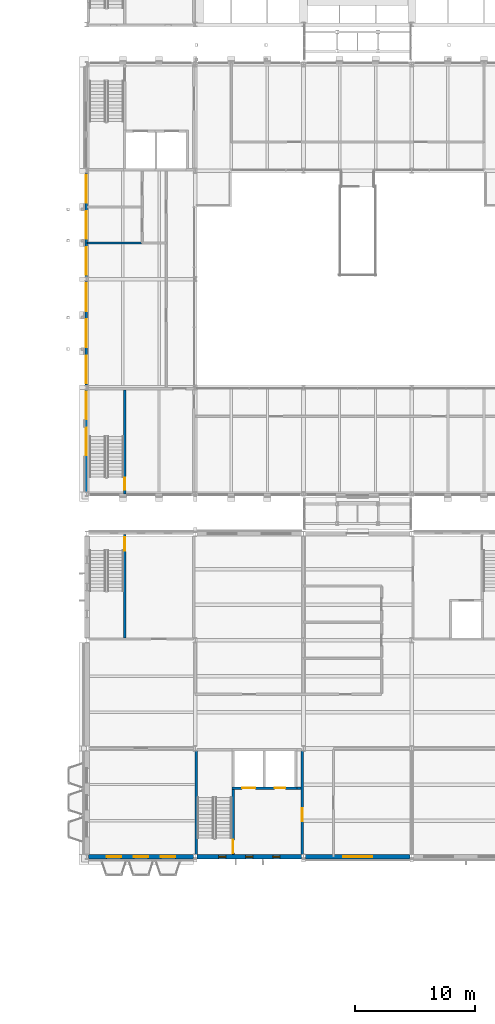
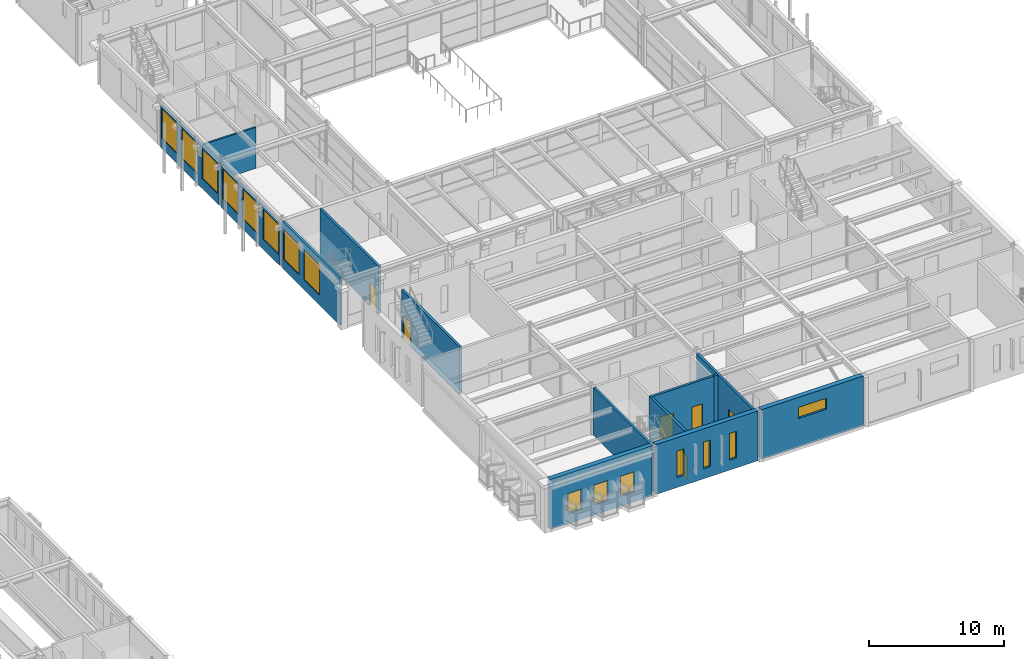
# One storey, part 94 of 153: 15 windows, 14 walls, 6 doors, 21 openings.
"""IFC4 building model written with IfcOpenShell, lengths in metres."""

import ifcopenshell
import ifcopenshell.guid

model = None  # the IFC model being written
_history = None  # IfcOwnerHistory: only IFC2X3 demands one
_inside = {}  # id of a spatial element -> (the spatial element, [elements in it])
_under = {}  # id of a project, library or spatial element -> (it, [spatial elements below it])
_declared = {}  # id of a project -> (the project, [libraries it declares])
_typed = {}  # id of a type object -> (the type object, [elements of that type])
_made_of = {}  # id of a material, layer set ... -> (it, [elements and type objects made of it])


def new_model(schema):
    """Start an empty IFC model of exactly this schema.

    Asked for "IFC4X3", IfcOpenShell would pick the latest addendum, in which some entities
    have other attributes; the version numbers below select the first issue.
    IFC2X3 requires an IfcOwnerHistory on every rooted entity: one is made here for all.
    """
    global model, _history
    if schema == "IFC4X3":
        model = ifcopenshell.file(schema_version=(4, 3, 0, 0))
    else:
        model = ifcopenshell.file(schema=schema)
    _inside.clear()
    _under.clear()
    _declared.clear()
    _typed.clear()
    _made_of.clear()
    _history = None
    if model.schema == "IFC2X3":
        org = make("IfcOrganization", Name="unknown")
        user = make(
            "IfcPersonAndOrganization",
            ThePerson=make("IfcPerson", FamilyName="unknown"),
            TheOrganization=org,
        )
        app = make(
            "IfcApplication",
            ApplicationDeveloper=org,
            Version="unknown",
            ApplicationFullName="unknown",
            ApplicationIdentifier="unknown",
        )
        _history = make(
            "IfcOwnerHistory",
            OwningUser=user,
            OwningApplication=app,
            ChangeAction="ADDED",
            CreationDate=0,
        )
    return model


def make(cls, **values):
    """One entity of the class cls with the attributes given. An attribute that is None is left unset."""
    return model.create_entity(
        cls, **{name: value for name, value in values.items() if value is not None}
    )


def rooted(cls, **values):
    """An entity with a GlobalId (a new one), such as an element, a storey or a relation."""
    return make(cls, GlobalId=ifcopenshell.guid.new(), OwnerHistory=_history, **values)


def si_unit(unit_type, name, prefix=None):
    """IfcSIUnit, for example si_unit("LENGTHUNIT", "METRE", prefix="MILLI")."""
    return make("IfcSIUnit", UnitType=unit_type, Prefix=prefix, Name=name)


def assignment(units):
    """IfcUnitAssignment: the units of a project."""
    return None if units is None else make("IfcUnitAssignment", Units=units)


def point(xyz):
    """IfcCartesianPoint."""
    return None if xyz is None else make("IfcCartesianPoint", Coordinates=xyz)


def direction(xyz):
    """IfcDirection."""
    return None if xyz is None else make("IfcDirection", DirectionRatios=xyz)


def frame(location, z_axis=None, x_axis=None):
    """IfcAxis2Placement3D, a coordinate frame: its origin and axes. An axis left out is left unset."""
    return make(
        "IfcAxis2Placement3D",
        Location=point(location),
        Axis=direction(z_axis),
        RefDirection=direction(x_axis),
    )


def frame_2d(location, x_axis=None):
    """IfcAxis2Placement2D, a coordinate frame in the plane: its origin and x axis."""
    return make(
        "IfcAxis2Placement2D", Location=point(location), RefDirection=direction(x_axis)
    )


def origin():
    """The frame at (0, 0, 0) with its axes left unset."""
    return frame((0.0, 0.0, 0.0))


def place(relative_to, where):
    """IfcLocalPlacement: puts the frame where relative to a parent placement (None: the world)."""
    return make(
        "IfcLocalPlacement", PlacementRelTo=relative_to, RelativePlacement=where
    )


def context(
    kind, dimensions, precision=None, world=None, true_north=None, identifier=None
):
    """IfcGeometricRepresentationContext, for example the 3D "Model" context."""
    return make(
        "IfcGeometricRepresentationContext",
        ContextIdentifier=identifier,
        ContextType=kind,
        CoordinateSpaceDimension=dimensions,
        Precision=precision,
        WorldCoordinateSystem=world,
        TrueNorth=true_north,
    )


def subcontext(parent, identifier, kind, view, scale=None):
    """IfcGeometricRepresentationSubContext, for example "Body" below "Model"."""
    return make(
        "IfcGeometricRepresentationSubContext",
        ContextIdentifier=identifier,
        ContextType=kind,
        ParentContext=parent,
        TargetScale=scale,
        TargetView=view,
    )


def project(units=None, contexts=None):
    """IfcProject with its units and contexts."""
    return rooted(
        "IfcProject",
        Name="project",
        RepresentationContexts=contexts,
        UnitsInContext=assignment(units),
    )


def spatial(cls, under=None, at=None, **own):
    """A site, building, storey or space (cls), placed at a placement, below another one or the project."""
    s = rooted(cls, ObjectPlacement=at, **own)
    if under is not None:
        _under.setdefault(under.id(), (under, []))[1].append(s)
    return s


def profile(cls, at=None, kind="AREA", **sizes):
    """A parametric profile (cls). Its sizes go by their IFC names, for example OverallWidth=200.0."""
    return make(cls, ProfileType=kind, Position=at, **sizes)


def rectangle(**sizes):
    """IfcRectangleProfileDef."""
    return profile("IfcRectangleProfileDef", **sizes)


def extrude(swept, where, along, depth):
    """IfcExtrudedAreaSolid: the profile swept, set in the frame where, extruded along a direction by depth."""
    return make(
        "IfcExtrudedAreaSolid",
        SweptArea=swept,
        Position=where,
        ExtrudedDirection=direction(along),
        Depth=depth,
    )


def shape(context_of_items, identifier, shape_type, items):
    """IfcShapeRepresentation: the items that make up one representation, for example the "Body"."""
    return make(
        "IfcShapeRepresentation",
        ContextOfItems=context_of_items,
        RepresentationIdentifier=identifier,
        RepresentationType=shape_type,
        Items=items,
    )


def material(Name=None, Category=None):
    """IfcMaterial."""
    return make("IfcMaterial", Name=Name, Category=Category)


def layer(
    of_material, thickness, ventilated=None, Name=None, Category=None, Priority=None
):
    """IfcMaterialLayer: one layer of a wall or slab, of a material (None: an air gap)."""
    return make(
        "IfcMaterialLayer",
        Material=of_material,
        LayerThickness=thickness,
        IsVentilated=ventilated,
        Name=Name,
        Category=Category,
        Priority=Priority,
    )


def layer_set(layers, Name=None):
    """IfcMaterialLayerSet."""
    return make("IfcMaterialLayerSet", MaterialLayers=layers, LayerSetName=Name)


def made_of(thing, what):
    """Note that an element or type object is made of a material, layer set ...; save() writes the relation."""
    if what is not None:
        _made_of.setdefault(what.id(), (what, []))[1].append(thing)
    return thing


def type_object(cls, material=None, **own):
    """A type object (cls), such as IfcWallType, which elements share."""
    return made_of(rooted(cls, **own), material)


def element(
    cls,
    number,
    at=None,
    inside=None,
    cuts=None,
    type_object=None,
    material=None,
    context=None,
    identifier="Body",
    shape_type=None,
    held_by="IfcProductDefinitionShape",
    body=None,
    shapes=None,
    **own,
):
    """One element of the class cls, such as IfcWall. Its Tag is "e" and its number.

    at: its placement. inside: the storey or other place that contains it. cuts: it is an
    opening in that element (IfcRelVoidsElement). A single representation is given by context,
    identifier, shape_type and body (its items); several are given by shapes. held_by: the class
    of the entity that holds the representations. save() writes the other relations.
    """
    e = rooted(cls, Tag="e%d" % number, ObjectPlacement=at, **own)
    if body is not None:
        shapes = [shape(context, identifier, shape_type, body)]
    if shapes is not None:
        e.Representation = make(held_by, Representations=shapes)
    if inside is not None:
        _inside.setdefault(inside.id(), (inside, []))[1].append(e)
    if cuts is not None:
        rooted(
            "IfcRelVoidsElement", RelatingBuildingElement=cuts, RelatedOpeningElement=e
        )
    if type_object is not None:
        _typed.setdefault(type_object.id(), (type_object, []))[1].append(e)
    return made_of(e, material)


def fill(opening, filler):
    """IfcRelFillsElement: the door or window that sits in an opening."""
    return rooted(
        "IfcRelFillsElement",
        RelatingOpeningElement=opening,
        RelatedBuildingElement=filler,
    )


def aggregate(whole, parts):
    """IfcRelAggregates: a whole, such as a stair, and the parts it consists of."""
    return rooted("IfcRelAggregates", RelatingObject=whole, RelatedObjects=parts)


def save(model, path):
    """Write the relations noted so far, then the file.

    IfcRelAggregates (storeys below a building ...), IfcRelContainedInSpatialStructure (elements
    in a storey), IfcRelDefinesByType, IfcRelAssociatesMaterial and IfcRelDeclares: one each for
    every whole, place, type object, material and project.
    """
    for whole, parts in _under.values():
        aggregate(whole, parts)
    for where, things in _inside.values():
        rooted(
            "IfcRelContainedInSpatialStructure",
            RelatedElements=things,
            RelatingStructure=where,
        )
    for kind, things in _typed.values():
        rooted("IfcRelDefinesByType", RelatedObjects=things, RelatingType=kind)
    for what, things in _made_of.values():
        rooted("IfcRelAssociatesMaterial", RelatedObjects=things, RelatingMaterial=what)
    for by, libraries in _declared.values():
        rooted("IfcRelDeclares", RelatingContext=by, RelatedDefinitions=libraries)
    model.write(path)


model = new_model("IFC4")

# Units and contexts
model_context = context("Model", 3, precision=1e-05, world=origin(), true_north=direction((0.0, 1.0)))
body_context = subcontext(model_context, "Body", "Model", "MODEL_VIEW")
ifc_project = project(units=[si_unit("LENGTHUNIT", "METRE"), si_unit("AREAUNIT", "SQUARE_METRE"), si_unit("VOLUMEUNIT", "CUBIC_METRE"), si_unit("PLANEANGLEUNIT", "RADIAN"), si_unit("MASSUNIT", "GRAM", prefix="KILO")], contexts=[model_context])

# Site, building, storey
site_placement = place(None, origin())
site = spatial("IfcSite", under=ifc_project, at=site_placement, CompositionType="ELEMENT")
building_placement = place(site_placement, origin())
building = spatial("IfcBuilding", under=site, at=building_placement, Name="Kallimachos Central Library", CompositionType="ELEMENT")
storey_placement = place(building_placement, frame((0.0, 0.0, 5.39990234375)))
storey = spatial("IfcBuildingStorey", under=building, at=storey_placement, Name="L01", CompositionType="ELEMENT", Elevation=5.39990234375)

# Wall
ifc_material_1 = material(Name="Concrete C30/37", Category="concrete")
ifc_layer_1 = layer(ifc_material_1, 0.199951171875)
ifc_layer_set_1 = layer_set([ifc_layer_1], Name="Core wall 200")
wall_type_1 = type_object("IfcWallType", Name="Core wall 200", PredefinedType="SOLIDWALL", material=ifc_layer_set_1)
wall_1_placement = place(storey_placement, frame((74.60009765625, 18.199951171875, 0.0), z_axis=(0.0, 0.0, 1.0), x_axis=(0.0, 1.0, 0.0)))
element("IfcWall", 1, at=wall_1_placement, inside=storey, type_object=wall_type_1, Name="V5-WAL-L01-028", PredefinedType="SOLIDWALL", context=body_context, shape_type="SweptSolid", body=[
    extrude(rectangle(XDim=8.583984375, YDim=0.199951171875, at=frame_2d((4.2919921875, 0.0))), origin(), (0.0, 0.0, 1.0), 4.25),
])

# Wall, opening, door
wall_2_placement = place(storey_placement, frame((83.39990234375, 18.199951171875, 0.0), z_axis=(0.0, 0.0, 1.0), x_axis=(0.0, 1.0, 0.0)))
wall_2 = element("IfcWall", 2, at=wall_2_placement, inside=storey, type_object=wall_type_1, Name="V5-WAL-L01-029", PredefinedType="SOLIDWALL", context=body_context, shape_type="SweptSolid", body=[
    extrude(rectangle(XDim=8.583984375, YDim=0.199951171875, at=frame_2d((4.2919921875, 0.0))), origin(), (0.0, 0.0, 1.0), 4.25),
])
opening_1_placement = place(wall_2_placement, frame((2.75, 0.0, 0.0)))
opening_1 = element("IfcOpeningElement", 3, at=opening_1_placement, cuts=wall_2, Name="Opening D95", PredefinedType="OPENING", context=body_context, shape_type="SweptSolid", body=[
    extrude(rectangle(XDim=1.10009765625, YDim=2.10009765625, at=frame_2d((0.550048828125, 1.050048828125))), frame((0.0, 0.10986328125, 0.0), z_axis=(0.0, -1.0, 0.0), x_axis=(1.0, 0.0, 0.0)), (0.0, 0.0, 1.0), 0.219970703125),
])
ifc_material_2 = material(Name="Steel fire door", Category="steel")
door_type_1 = type_object("IfcDoorType", Name="Fire door EI2 90 1100 x 2100", OperationType="NOTDEFINED", PredefinedType="DOOR", material=ifc_material_2)
door_1_placement = place(opening_1_placement, origin())
door_1 = element("IfcDoor", 4, at=door_1_placement, inside=storey, type_object=door_type_1, Name="ST13 lobby door L01", OperationType="SINGLE_SWING_RIGHT", OverallHeight=2.10009765625, OverallWidth=1.10009765625, PredefinedType="DOOR", context=body_context, shape_type="SweptSolid", body=[
    extrude(rectangle(XDim=1.10009765625, YDim=2.10009765625, at=frame_2d((0.550048828125, 1.050048828125))), frame((0.0, 0.02490234375, 0.0), z_axis=(0.0, -1.0, 0.0), x_axis=(1.0, 0.0, 0.0)), (0.0, 0.0, 1.0), 0.050048828125),
])
fill(opening_1, door_1)

wall_3_placement = place(storey_placement, frame((77.64990234375, 18.199951171875, 0.0), z_axis=(0.0, 0.0, 1.0), x_axis=(0.0, 1.0, 0.0)))
wall_3 = element("IfcWall", 5, at=wall_3_placement, inside=storey, type_object=wall_type_1, Name="V5-WAL-L01-030", PredefinedType="SOLIDWALL", context=body_context, shape_type="SweptSolid", body=[
    extrude(rectangle(XDim=5.60009765625, YDim=0.199951171875, at=frame_2d((2.800048828125, 0.0))), origin(), (0.0, 0.0, 1.0), 4.25),
])
opening_2_placement = place(wall_3_placement, frame((0.10009765625, 0.0, 0.0)))
opening_2 = element("IfcOpeningElement", 6, at=opening_2_placement, cuts=wall_3, Name="Opening D94", PredefinedType="OPENING", context=body_context, shape_type="SweptSolid", body=[
    extrude(rectangle(XDim=1.10009765625, YDim=2.10009765625, at=frame_2d((0.550048828125, 1.050048828125))), frame((0.0, 0.10986328125, 0.0), z_axis=(0.0, -1.0, 0.0), x_axis=(1.0, 0.0, 0.0)), (0.0, 0.0, 1.0), 0.219970703125),
])
door_2_placement = place(opening_2_placement, origin())
door_2 = element("IfcDoor", 7, at=door_2_placement, inside=storey, type_object=door_type_1, Name="ST13 stair door L01", OperationType="SINGLE_SWING_RIGHT", OverallHeight=2.10009765625, OverallWidth=1.10009765625, PredefinedType="DOOR", context=body_context, shape_type="SweptSolid", body=[
    extrude(rectangle(XDim=1.10009765625, YDim=2.10009765625, at=frame_2d((0.550048828125, 1.050048828125))), frame((0.0, 0.02490234375, 0.0), z_axis=(0.0, -1.0, 0.0), x_axis=(1.0, 0.0, 0.0)), (0.0, 0.0, 1.0), 0.050048828125),
])
fill(opening_2, door_2)

# Wall
wall_4_placement = place(storey_placement, frame((82.949951171875, 23.699951171875, 0.0), z_axis=(0.0, 0.0, 1.0), x_axis=(1.0, 0.0, 0.0)))
element("IfcWall", 8, at=wall_4_placement, inside=storey, type_object=wall_type_1, Name="V5-WAL-L01-031", PredefinedType="SOLIDWALL", context=body_context, shape_type="SweptSolid", body=[
    extrude(rectangle(XDim=0.35009765625, YDim=0.199951171875, at=frame_2d((0.175048828125, 0.0))), origin(), (0.0, 0.0, 1.0), 4.25),
])

# Wall, opening, door
wall_5_placement = place(storey_placement, frame((68.64990234375, 36.199951171875, 0.0), z_axis=(0.0, 0.0, 1.0), x_axis=(0.0, 1.0, 0.0)))
wall_5 = element("IfcWall", 9, at=wall_5_placement, inside=storey, type_object=wall_type_1, Name="V5-WAL-L01-039", PredefinedType="SOLIDWALL", context=body_context, shape_type="SweptSolid", body=[
    extrude(rectangle(XDim=8.60009765625, YDim=0.199951171875, at=frame_2d((4.300048828125, 0.0))), origin(), (0.0, 0.0, 1.0), 4.25),
])
opening_3_placement = place(wall_5_placement, frame((7.25, 0.0, 0.0)))
opening_3 = element("IfcOpeningElement", 10, at=opening_3_placement, cuts=wall_5, Name="Opening D98", PredefinedType="OPENING", context=body_context, shape_type="SweptSolid", body=[
    extrude(rectangle(XDim=1.10009765625, YDim=2.10009765625, at=frame_2d((0.550048828125, 1.050048828125))), frame((0.0, 0.10986328125, 0.0), z_axis=(0.0, -1.0, 0.0), x_axis=(1.0, 0.0, 0.0)), (0.0, 0.0, 1.0), 0.219970703125),
])
door_3_placement = place(opening_3_placement, origin())
door_3 = element("IfcDoor", 11, at=door_3_placement, inside=storey, type_object=door_type_1, Name="ST15 stair door L01", OperationType="SINGLE_SWING_LEFT", OverallHeight=2.10009765625, OverallWidth=1.10009765625, PredefinedType="DOOR", context=body_context, shape_type="SweptSolid", body=[
    extrude(rectangle(XDim=1.10009765625, YDim=2.10009765625, at=frame_2d((0.550048828125, 1.050048828125))), frame((0.0, 0.02490234375, 0.0), z_axis=(0.0, -1.0, 0.0), x_axis=(1.0, 0.0, 0.0)), (0.0, 0.0, 1.0), 0.050048828125),
])
fill(opening_3, door_3)

# Wall, openings, doors
ifc_material_3 = material(Name="Concrete C30/37", Category="concrete")
ifc_layer_2 = layer(ifc_material_3, 0.199951171875)
ifc_layer_set_2 = layer_set([ifc_layer_2], Name="Lift shaft wall 200")
wall_type_2 = type_object("IfcWallType", Name="Lift shaft wall 200", PredefinedType="SOLIDWALL", material=ifc_layer_set_2)
wall_6_placement = place(storey_placement, frame((77.550048828125, 23.699951171875, 0.0), z_axis=(0.0, 0.0, 1.0), x_axis=(1.0, 0.0, 0.0)))
wall_6 = element("IfcWall", 12, at=wall_6_placement, inside=storey, type_object=wall_type_2, Name="V5-WAL-L01-001", PredefinedType="SOLIDWALL", context=body_context, shape_type="SweptSolid", body=[
    extrude(rectangle(XDim=5.39990234375, YDim=0.199951171875, at=frame_2d((2.699951171875, 0.0))), origin(), (0.0, 0.0, 1.0), 4.25),
])
opening_4_placement = place(wall_6_placement, frame((0.85009765625, 0.0, 0.0)))
opening_4 = element("IfcOpeningElement", 13, at=opening_4_placement, cuts=wall_6, Name="Opening LD1100", PredefinedType="OPENING", context=body_context, shape_type="SweptSolid", body=[
    extrude(rectangle(XDim=1.10009765625, YDim=2.10009765625, at=frame_2d((0.550048828125, 1.050048828125))), frame((0.0, 0.10986328125, 0.0), z_axis=(0.0, -1.0, 0.0), x_axis=(1.0, 0.0, 0.0)), (0.0, 0.0, 1.0), 0.219970703125),
])
opening_5_placement = place(wall_6_placement, frame((3.550048828125, 0.0, 0.0)))
opening_5 = element("IfcOpeningElement", 14, at=opening_5_placement, cuts=wall_6, Name="Opening LD900", PredefinedType="OPENING", context=body_context, shape_type="SweptSolid", body=[
    extrude(rectangle(XDim=0.89990234375, YDim=2.10009765625, at=frame_2d((0.449951171875, 1.050048828125))), frame((0.0, 0.10986328125, 0.0), z_axis=(0.0, -1.0, 0.0), x_axis=(1.0, 0.0, 0.0)), (0.0, 0.0, 1.0), 0.219970703125),
])
ifc_material_4 = material(Name="Stainless steel", Category="steel")
door_type_2 = type_object("IfcDoorType", Name="Lift landing door 1100 x 2100", OperationType="SLIDING_TO_LEFT", PredefinedType="DOOR", material=ifc_material_4)
door_4_placement = place(opening_4_placement, origin())
door_4 = element("IfcDoor", 15, at=door_4_placement, inside=storey, type_object=door_type_2, Name="LF11 landing door L01", OperationType="SLIDING_TO_LEFT", OverallHeight=2.10009765625, OverallWidth=1.10009765625, PredefinedType="DOOR", context=body_context, shape_type="SweptSolid", body=[
    extrude(rectangle(XDim=1.10009765625, YDim=2.10009765625, at=frame_2d((0.550048828125, 1.050048828125))), frame((0.0, 0.02490234375, 0.0), z_axis=(0.0, -1.0, 0.0), x_axis=(1.0, 0.0, 0.0)), (0.0, 0.0, 1.0), 0.050048828125),
])
fill(opening_4, door_4)
ifc_material_5 = material(Name="Stainless steel", Category="steel")
door_type_3 = type_object("IfcDoorType", Name="Lift landing door 900 x 2100", OperationType="SLIDING_TO_LEFT", PredefinedType="DOOR", material=ifc_material_5)
door_5_placement = place(opening_5_placement, origin())
door_5 = element("IfcDoor", 16, at=door_5_placement, inside=storey, type_object=door_type_3, Name="LF12 landing door L01", OperationType="SLIDING_TO_LEFT", OverallHeight=2.10009765625, OverallWidth=0.89990234375, PredefinedType="DOOR", context=body_context, shape_type="SweptSolid", body=[
    extrude(rectangle(XDim=0.89990234375, YDim=2.10009765625, at=frame_2d((0.449951171875, 1.050048828125))), frame((0.0, 0.02490234375, 0.0), z_axis=(0.0, -1.0, 0.0), x_axis=(1.0, 0.0, 0.0)), (0.0, 0.0, 1.0), 0.050048828125),
])
fill(opening_5, door_5)

# Wall
ifc_material_6 = material(Name="Gypsum board on steel studs", Category="steel")
ifc_layer_3 = layer(ifc_material_6, 0.14990234375)
ifc_layer_set_3 = layer_set([ifc_layer_3], Name="Partition wall 150")
wall_type_3 = type_object("IfcWallType", Name="Partition wall 150", PredefinedType="PARTITIONING", material=ifc_layer_set_3)
wall_7_placement = place(storey_placement, frame((65.550048828125, 69.0, 0.0), z_axis=(0.0, 0.0, 1.0), x_axis=(1.0, 0.0, 0.0)))
element("IfcWall", 17, at=wall_7_placement, inside=storey, type_object=wall_type_3, Name="L01 partition", PredefinedType="PARTITIONING", context=body_context, shape_type="SweptSolid", body=[
    extrude(rectangle(XDim=4.550048828125, YDim=0.14990234375, at=frame_2d((2.27490234375, 0.0))), origin(), (0.0, 0.0, 1.0), 3.7001953125),
])

# Wall, opening, door
ifc_material_7 = material(Name="Concrete C35/45", Category="concrete")
ifc_layer_4 = layer(ifc_material_7, 0.199951171875)
ifc_layer_set_4 = layer_set([ifc_layer_4], Name="Shear core wall 200, internal")
wall_type_4 = type_object("IfcWallType", Name="Shear core wall 200, internal", PredefinedType="SHEAR", material=ifc_layer_set_4)
wall_8_placement = place(storey_placement, frame((68.64990234375, 48.14990234375, 0.0), z_axis=(0.0, 0.0, 1.0), x_axis=(0.0, 1.0, 0.0)))
wall_8 = element("IfcWall", 18, at=wall_8_placement, inside=storey, type_object=wall_type_4, Name="L01 core wall V4-SW M", PredefinedType="SHEAR", context=body_context, shape_type="SweptSolid", body=[
    extrude(rectangle(XDim=8.650146484375, YDim=0.199951171875, at=frame_2d((4.3251953125, 0.0))), origin(), (0.0, 0.0, 1.0), 4.25),
])
opening_6_placement = place(wall_8_placement, frame((0.35009765625, 0.0, 0.0)))
opening_6 = element("IfcOpeningElement", 19, at=opening_6_placement, cuts=wall_8, Name="Opening D174", PredefinedType="OPENING", context=body_context, shape_type="SweptSolid", body=[
    extrude(rectangle(XDim=1.0, YDim=2.10009765625, at=frame_2d((0.5, 1.050048828125))), frame((0.0, 0.10986328125, 0.0), z_axis=(0.0, -1.0, 0.0), x_axis=(1.0, 0.0, 0.0)), (0.0, 0.0, 1.0), 0.219970703125),
])
ifc_material_8 = material(Name="Timber", Category="wood")
door_type_4 = type_object("IfcDoorType", Name="Single leaf door 1000 x 2100, EI2 90", OperationType="NOTDEFINED", PredefinedType="DOOR", material=ifc_material_8)
door_6_placement = place(opening_6_placement, origin())
door_6 = element("IfcDoor", 20, at=door_6_placement, inside=storey, type_object=door_type_4, Name="L01 core door V4-SW", OperationType="SINGLE_SWING_RIGHT", OverallHeight=2.10009765625, OverallWidth=1.0, PredefinedType="DOOR", context=body_context, shape_type="SweptSolid", body=[
    extrude(rectangle(XDim=1.0, YDim=2.10009765625, at=frame_2d((0.5, 1.050048828125))), frame((0.0, 0.02490234375, 0.0), z_axis=(0.0, -1.0, 0.0), x_axis=(1.0, 0.0, 0.0)), (0.0, 0.0, 1.0), 0.050048828125),
])
fill(opening_6, door_6)

# Wall, openings, windows
ifc_material_9 = material(Name="Pentelic marble masonry", Category="masonry")
ifc_layer_5 = layer(ifc_material_9, 0.39990234375)
ifc_layer_set_5 = layer_set([ifc_layer_5], Name="Stone masonry wall 400")
wall_type_5 = type_object("IfcWallType", Name="Stone masonry wall 400", PredefinedType="SOLIDWALL", material=ifc_layer_set_5)
wall_9_placement = place(storey_placement, frame((65.64990234375, 18.0, 0.0), z_axis=(0.0, 0.0, 1.0), x_axis=(1.0, 0.0, 0.0)))
wall_9 = element("IfcWall", 21, at=wall_9_placement, inside=storey, type_object=wall_type_5, Name="V5-WAL-L01-010", PredefinedType="SOLIDWALL", context=body_context, shape_type="SweptSolid", body=[
    extrude(rectangle(XDim=8.7001953125, YDim=0.39990234375, at=frame_2d((4.35009765625, 0.0))), origin(), (0.0, 0.0, 1.0), 4.5),
])
opening_7_placement = place(wall_9_placement, frame((1.5, 0.0, 0.89990234375)))
opening_7 = element("IfcOpeningElement", 22, at=opening_7_placement, cuts=wall_9, Name="Opening WN32", PredefinedType="OPENING", context=body_context, shape_type="SweptSolid", body=[
    extrude(rectangle(XDim=1.199951171875, YDim=1.800048828125, at=frame_2d((0.60009765625, 0.89990234375))), frame((0.0, 0.2099609375, 0.0), z_axis=(0.0, -1.0, 0.0), x_axis=(1.0, 0.0, 0.0)), (0.0, 0.0, 1.0), 0.419921875),
])
opening_8_placement = place(wall_9_placement, frame((3.75, 0.0, 0.89990234375)))
opening_8 = element("IfcOpeningElement", 23, at=opening_8_placement, cuts=wall_9, Name="Opening WN33", PredefinedType="OPENING", context=body_context, shape_type="SweptSolid", body=[
    extrude(rectangle(XDim=1.199951171875, YDim=1.800048828125, at=frame_2d((0.60009765625, 0.89990234375))), frame((0.0, 0.2099609375, 0.0), z_axis=(0.0, -1.0, 0.0), x_axis=(1.0, 0.0, 0.0)), (0.0, 0.0, 1.0), 0.419921875),
])
opening_9_placement = place(wall_9_placement, frame((6.0, 0.0, 0.89990234375)))
opening_9 = element("IfcOpeningElement", 24, at=opening_9_placement, cuts=wall_9, Name="Opening WN34", PredefinedType="OPENING", context=body_context, shape_type="SweptSolid", body=[
    extrude(rectangle(XDim=1.199951171875, YDim=1.800048828125, at=frame_2d((0.60009765625, 0.89990234375))), frame((0.0, 0.2099609375, 0.0), z_axis=(0.0, -1.0, 0.0), x_axis=(1.0, 0.0, 0.0)), (0.0, 0.0, 1.0), 0.419921875),
])
ifc_material_10 = material(Name="Anodised aluminium and laminated glass", Category="aluminium")
window_type_1 = type_object("IfcWindowType", Name="Staff window 1200 x 1800", PartitioningType="SINGLE_PANEL", PredefinedType="WINDOW", material=ifc_material_10)
window_1_placement = place(opening_7_placement, origin())
window_1 = element("IfcWindow", 25, at=window_1_placement, inside=storey, type_object=window_type_1, Name="V5-WIN-L01-001", OverallHeight=1.800048828125, OverallWidth=1.199951171875, PartitioningType="SINGLE_PANEL", PredefinedType="WINDOW", context=body_context, shape_type="SweptSolid", body=[
    extrude(rectangle(XDim=1.199951171875, YDim=1.800048828125, at=frame_2d((0.60009765625, 0.89990234375))), frame((0.0, 0.030029296875, 0.0), z_axis=(0.0, -1.0, 0.0), x_axis=(1.0, 0.0, 0.0)), (0.0, 0.0, 1.0), 0.06005859375),
])
fill(opening_7, window_1)
window_2_placement = place(opening_8_placement, origin())
window_2 = element("IfcWindow", 26, at=window_2_placement, inside=storey, type_object=window_type_1, Name="V5-WIN-L01-002", OverallHeight=1.800048828125, OverallWidth=1.199951171875, PartitioningType="SINGLE_PANEL", PredefinedType="WINDOW", context=body_context, shape_type="SweptSolid", body=[
    extrude(rectangle(XDim=1.199951171875, YDim=1.800048828125, at=frame_2d((0.60009765625, 0.89990234375))), frame((0.0, 0.030029296875, 0.0), z_axis=(0.0, -1.0, 0.0), x_axis=(1.0, 0.0, 0.0)), (0.0, 0.0, 1.0), 0.06005859375),
])
fill(opening_8, window_2)
window_3_placement = place(opening_9_placement, origin())
window_3 = element("IfcWindow", 27, at=window_3_placement, inside=storey, type_object=window_type_1, Name="V5-WIN-L01-003", OverallHeight=1.800048828125, OverallWidth=1.199951171875, PartitioningType="SINGLE_PANEL", PredefinedType="WINDOW", context=body_context, shape_type="SweptSolid", body=[
    extrude(rectangle(XDim=1.199951171875, YDim=1.800048828125, at=frame_2d((0.60009765625, 0.89990234375))), frame((0.0, 0.030029296875, 0.0), z_axis=(0.0, -1.0, 0.0), x_axis=(1.0, 0.0, 0.0)), (0.0, 0.0, 1.0), 0.06005859375),
])
fill(opening_9, window_3)

# Wall, opening, window
wall_10_placement = place(storey_placement, frame((83.64990234375, 18.0, 0.0), z_axis=(0.0, 0.0, 1.0), x_axis=(1.0, 0.0, 0.0)))
wall_10 = element("IfcWall", 28, at=wall_10_placement, inside=storey, type_object=wall_type_5, Name="V5-WAL-L01-012", PredefinedType="SOLIDWALL", context=body_context, shape_type="SweptSolid", body=[
    extrude(rectangle(XDim=8.7001953125, YDim=0.39990234375, at=frame_2d((4.35009765625, 0.0))), origin(), (0.0, 0.0, 1.0), 4.5),
])
opening_10_placement = place(wall_10_placement, frame((3.14990234375, 0.0, 2.60009765625)))
opening_10 = element("IfcOpeningElement", 29, at=opening_10_placement, cuts=wall_10, Name="Opening WN38", PredefinedType="OPENING", context=body_context, shape_type="SweptSolid", body=[
    extrude(rectangle(XDim=2.39990234375, YDim=1.0, at=frame_2d((1.199951171875, 0.5))), frame((0.0, 0.2099609375, 0.0), z_axis=(0.0, -1.0, 0.0), x_axis=(1.0, 0.0, 0.0)), (0.0, 0.0, 1.0), 0.419921875),
])
ifc_material_11 = material(Name="Anodised aluminium and laminated glass", Category="aluminium")
window_type_2 = type_object("IfcWindowType", Name="Clerestory window 2400 x 1000", PartitioningType="SINGLE_PANEL", PredefinedType="WINDOW", material=ifc_material_11)
window_4_placement = place(opening_10_placement, origin())
window_4 = element("IfcWindow", 30, at=window_4_placement, inside=storey, type_object=window_type_2, Name="V5-WIN-L01-007", OverallHeight=1.0, OverallWidth=2.39990234375, PartitioningType="SINGLE_PANEL", PredefinedType="WINDOW", context=body_context, shape_type="SweptSolid", body=[
    extrude(rectangle(XDim=2.39990234375, YDim=1.0, at=frame_2d((1.199951171875, 0.5))), frame((0.0, 0.030029296875, 0.0), z_axis=(0.0, -1.0, 0.0), x_axis=(1.0, 0.0, 0.0)), (0.0, 0.0, 1.0), 0.06005859375),
])
fill(opening_10, window_4)

# Wall, openings, windows
ifc_material_12 = material(Name="Concrete C30/37", Category="concrete")
ifc_layer_6 = layer(ifc_material_12, 0.39990234375)
ifc_layer_set_6 = layer_set([ifc_layer_6], Name="Stone-clad core wall 400")
wall_type_6 = type_object("IfcWallType", Name="Stone-clad core wall 400", PredefinedType="SOLIDWALL", material=ifc_layer_set_6)
wall_11_placement = place(storey_placement, frame((74.64990234375, 18.0, 0.0), z_axis=(0.0, 0.0, 1.0), x_axis=(1.0, 0.0, 0.0)))
wall_11 = element("IfcWall", 31, at=wall_11_placement, inside=storey, type_object=wall_type_6, Name="V5-WAL-L01-011", PredefinedType="SOLIDWALL", context=body_context, shape_type="SweptSolid", body=[
    extrude(rectangle(XDim=8.7001953125, YDim=0.39990234375, at=frame_2d((4.35009765625, 0.0))), origin(), (0.0, 0.0, 1.0), 4.5),
])
opening_11_placement = place(wall_11_placement, frame((1.800048828125, 0.0, 0.89990234375)))
opening_11 = element("IfcOpeningElement", 32, at=opening_11_placement, cuts=wall_11, Name="Opening WN35", PredefinedType="OPENING", context=body_context, shape_type="SweptSolid", body=[
    extrude(rectangle(XDim=0.60009765625, YDim=2.39990234375, at=frame_2d((0.300048828125, 1.199951171875))), frame((0.0, 0.2099609375, 0.0), z_axis=(0.0, -1.0, 0.0), x_axis=(1.0, 0.0, 0.0)), (0.0, 0.0, 1.0), 0.419921875),
])
opening_12_placement = place(wall_11_placement, frame((4.050048828125, 0.0, 0.89990234375)))
opening_12 = element("IfcOpeningElement", 33, at=opening_12_placement, cuts=wall_11, Name="Opening WN36", PredefinedType="OPENING", context=body_context, shape_type="SweptSolid", body=[
    extrude(rectangle(XDim=0.60009765625, YDim=2.39990234375, at=frame_2d((0.300048828125, 1.199951171875))), frame((0.0, 0.2099609375, 0.0), z_axis=(0.0, -1.0, 0.0), x_axis=(1.0, 0.0, 0.0)), (0.0, 0.0, 1.0), 0.419921875),
])
opening_13_placement = place(wall_11_placement, frame((6.300048828125, 0.0, 0.89990234375)))
opening_13 = element("IfcOpeningElement", 34, at=opening_13_placement, cuts=wall_11, Name="Opening WN37", PredefinedType="OPENING", context=body_context, shape_type="SweptSolid", body=[
    extrude(rectangle(XDim=0.60009765625, YDim=2.39990234375, at=frame_2d((0.300048828125, 1.199951171875))), frame((0.0, 0.2099609375, 0.0), z_axis=(0.0, -1.0, 0.0), x_axis=(1.0, 0.0, 0.0)), (0.0, 0.0, 1.0), 0.419921875),
])
ifc_material_13 = material(Name="Anodised aluminium and laminated glass", Category="aluminium")
window_type_3 = type_object("IfcWindowType", Name="Slot window 600 x 2400", PartitioningType="SINGLE_PANEL", PredefinedType="WINDOW", material=ifc_material_13)
window_5_placement = place(opening_11_placement, origin())
window_5 = element("IfcWindow", 35, at=window_5_placement, inside=storey, type_object=window_type_3, Name="V5-WIN-L01-004", OverallHeight=2.39990234375, OverallWidth=0.60009765625, PartitioningType="SINGLE_PANEL", PredefinedType="WINDOW", context=body_context, shape_type="SweptSolid", body=[
    extrude(rectangle(XDim=0.60009765625, YDim=2.39990234375, at=frame_2d((0.300048828125, 1.199951171875))), frame((0.0, 0.030029296875, 0.0), z_axis=(0.0, -1.0, 0.0), x_axis=(1.0, 0.0, 0.0)), (0.0, 0.0, 1.0), 0.06005859375),
])
fill(opening_11, window_5)
window_6_placement = place(opening_12_placement, origin())
window_6 = element("IfcWindow", 36, at=window_6_placement, inside=storey, type_object=window_type_3, Name="V5-WIN-L01-005", OverallHeight=2.39990234375, OverallWidth=0.60009765625, PartitioningType="SINGLE_PANEL", PredefinedType="WINDOW", context=body_context, shape_type="SweptSolid", body=[
    extrude(rectangle(XDim=0.60009765625, YDim=2.39990234375, at=frame_2d((0.300048828125, 1.199951171875))), frame((0.0, 0.030029296875, 0.0), z_axis=(0.0, -1.0, 0.0), x_axis=(1.0, 0.0, 0.0)), (0.0, 0.0, 1.0), 0.06005859375),
])
fill(opening_12, window_6)
window_7_placement = place(opening_13_placement, origin())
window_7 = element("IfcWindow", 37, at=window_7_placement, inside=storey, type_object=window_type_3, Name="V5-WIN-L01-006", OverallHeight=2.39990234375, OverallWidth=0.60009765625, PartitioningType="SINGLE_PANEL", PredefinedType="WINDOW", context=body_context, shape_type="SweptSolid", body=[
    extrude(rectangle(XDim=0.60009765625, YDim=2.39990234375, at=frame_2d((0.300048828125, 1.199951171875))), frame((0.0, 0.030029296875, 0.0), z_axis=(0.0, -1.0, 0.0), x_axis=(1.0, 0.0, 0.0)), (0.0, 0.0, 1.0), 0.06005859375),
])
fill(opening_13, window_7)

ifc_material_14 = material(Name="Brick masonry with Pentelic marble cladding", Category="masonry")
ifc_layer_7 = layer(ifc_material_14, 0.199951171875)
ifc_layer_set_7 = layer_set([ifc_layer_7], Name="Stone-clad masonry wall 200")
wall_type_7 = type_object("IfcWallType", Name="Stone-clad masonry wall 200", PredefinedType="SOLIDWALL", material=ifc_layer_set_7)
wall_12_placement = place(storey_placement, frame((65.445556640625, 57.1884765625, 0.0), z_axis=(0.0, 0.0, 1.0), x_axis=(0.0, 1.0, 0.0)))
wall_12 = element("IfcWall", 38, at=wall_12_placement, inside=storey, type_object=wall_type_7, Name="V4-WAL-L01-026", PredefinedType="SOLIDWALL", context=body_context, shape_type="SweptSolid", body=[
    extrude(rectangle(XDim=8.623046875, YDim=0.199951171875, at=frame_2d((4.3115234375, 0.0))), origin(), (0.0, 0.0, 1.0), 3.75),
])
opening_14_placement = place(wall_12_placement, frame((0.16162109375, 0.0, 0.89990234375)))
opening_14 = element("IfcOpeningElement", 39, at=opening_14_placement, cuts=wall_12, Name="Opening WN161", PredefinedType="OPENING", context=body_context, shape_type="SweptSolid", body=[
    extrude(rectangle(XDim=2.300048828125, YDim=2.699951171875, at=frame_2d((1.14990234375, 1.35009765625))), frame((0.0, 0.10986328125, 0.0), z_axis=(0.0, -1.0, 0.0), x_axis=(1.0, 0.0, 0.0)), (0.0, 0.0, 1.0), 0.219970703125),
])
opening_15_placement = place(wall_12_placement, frame((3.16162109375, 0.0, 0.89990234375)))
opening_15 = element("IfcOpeningElement", 40, at=opening_15_placement, cuts=wall_12, Name="Opening WN161", PredefinedType="OPENING", context=body_context, shape_type="SweptSolid", body=[
    extrude(rectangle(XDim=2.300048828125, YDim=2.699951171875, at=frame_2d((1.14990234375, 1.35009765625))), frame((0.0, 0.10986328125, 0.0), z_axis=(0.0, -1.0, 0.0), x_axis=(1.0, 0.0, 0.0)), (0.0, 0.0, 1.0), 0.219970703125),
])
opening_16_placement = place(wall_12_placement, frame((6.16162109375, 0.0, 0.89990234375)))
opening_16 = element("IfcOpeningElement", 41, at=opening_16_placement, cuts=wall_12, Name="Opening WN161", PredefinedType="OPENING", context=body_context, shape_type="SweptSolid", body=[
    extrude(rectangle(XDim=2.300048828125, YDim=2.699951171875, at=frame_2d((1.14990234375, 1.35009765625))), frame((0.0, 0.10986328125, 0.0), z_axis=(0.0, -1.0, 0.0), x_axis=(1.0, 0.0, 0.0)), (0.0, 0.0, 1.0), 0.219970703125),
])
ifc_material_15 = material(Name="Anodised aluminium and laminated glass", Category="aluminium")
window_type_4 = type_object("IfcWindowType", Name="Window 2300 x 2700", PartitioningType="DOUBLE_PANEL_VERTICAL", PredefinedType="WINDOW", material=ifc_material_15)
window_8_placement = place(opening_14_placement, origin())
window_8 = element("IfcWindow", 42, at=window_8_placement, inside=storey, type_object=window_type_4, Name="V4-WIN-L01-032", OverallHeight=2.699951171875, OverallWidth=2.300048828125, PartitioningType="SINGLE_PANEL", PredefinedType="WINDOW", context=body_context, shape_type="SweptSolid", body=[
    extrude(rectangle(XDim=2.300048828125, YDim=2.699951171875, at=frame_2d((1.14990234375, 1.35009765625))), frame((0.0, 0.030029296875, 0.0), z_axis=(0.0, -1.0, 0.0), x_axis=(1.0, 0.0, 0.0)), (0.0, 0.0, 1.0), 0.06005859375),
])
fill(opening_14, window_8)
window_9_placement = place(opening_15_placement, origin())
window_9 = element("IfcWindow", 43, at=window_9_placement, inside=storey, type_object=window_type_4, Name="V4-WIN-L01-033", OverallHeight=2.699951171875, OverallWidth=2.300048828125, PartitioningType="SINGLE_PANEL", PredefinedType="WINDOW", context=body_context, shape_type="SweptSolid", body=[
    extrude(rectangle(XDim=2.300048828125, YDim=2.699951171875, at=frame_2d((1.14990234375, 1.35009765625))), frame((0.0, 0.030029296875, 0.0), z_axis=(0.0, -1.0, 0.0), x_axis=(1.0, 0.0, 0.0)), (0.0, 0.0, 1.0), 0.06005859375),
])
fill(opening_15, window_9)
window_10_placement = place(opening_16_placement, origin())
window_10 = element("IfcWindow", 44, at=window_10_placement, inside=storey, type_object=window_type_4, Name="V4-WIN-L01-034", OverallHeight=2.699951171875, OverallWidth=2.300048828125, PartitioningType="SINGLE_PANEL", PredefinedType="WINDOW", context=body_context, shape_type="SweptSolid", body=[
    extrude(rectangle(XDim=2.300048828125, YDim=2.699951171875, at=frame_2d((1.14990234375, 1.35009765625))), frame((0.0, 0.030029296875, 0.0), z_axis=(0.0, -1.0, 0.0), x_axis=(1.0, 0.0, 0.0)), (0.0, 0.0, 1.0), 0.06005859375),
])
fill(opening_16, window_10)

wall_13_placement = place(storey_placement, frame((65.445556640625, 66.1884765625, 0.0), z_axis=(0.0, 0.0, 1.0), x_axis=(0.0, 1.0, 0.0)))
wall_13 = element("IfcWall", 45, at=wall_13_placement, inside=storey, type_object=wall_type_7, Name="V4-WAL-L01-027", PredefinedType="SOLIDWALL", context=body_context, shape_type="SweptSolid", body=[
    extrude(rectangle(XDim=8.595458984375, YDim=0.199951171875, at=frame_2d((4.2978515625, 0.0))), origin(), (0.0, 0.0, 1.0), 3.75),
])
opening_17_placement = place(wall_13_placement, frame((0.16162109375, 0.0, 0.89990234375)))
opening_17 = element("IfcOpeningElement", 46, at=opening_17_placement, cuts=wall_13, Name="Opening WN161", PredefinedType="OPENING", context=body_context, shape_type="SweptSolid", body=[
    extrude(rectangle(XDim=2.300048828125, YDim=2.699951171875, at=frame_2d((1.14990234375, 1.35009765625))), frame((0.0, 0.10986328125, 0.0), z_axis=(0.0, -1.0, 0.0), x_axis=(1.0, 0.0, 0.0)), (0.0, 0.0, 1.0), 0.219970703125),
])
opening_18_placement = place(wall_13_placement, frame((3.16162109375, 0.0, 0.89990234375)))
opening_18 = element("IfcOpeningElement", 47, at=opening_18_placement, cuts=wall_13, Name="Opening WN161", PredefinedType="OPENING", context=body_context, shape_type="SweptSolid", body=[
    extrude(rectangle(XDim=2.300048828125, YDim=2.699951171875, at=frame_2d((1.14990234375, 1.35009765625))), frame((0.0, 0.10986328125, 0.0), z_axis=(0.0, -1.0, 0.0), x_axis=(1.0, 0.0, 0.0)), (0.0, 0.0, 1.0), 0.219970703125),
])
opening_19_placement = place(wall_13_placement, frame((6.16162109375, 0.0, 0.89990234375)))
opening_19 = element("IfcOpeningElement", 48, at=opening_19_placement, cuts=wall_13, Name="Opening WN161", PredefinedType="OPENING", context=body_context, shape_type="SweptSolid", body=[
    extrude(rectangle(XDim=2.300048828125, YDim=2.699951171875, at=frame_2d((1.14990234375, 1.35009765625))), frame((0.0, 0.10986328125, 0.0), z_axis=(0.0, -1.0, 0.0), x_axis=(1.0, 0.0, 0.0)), (0.0, 0.0, 1.0), 0.219970703125),
])
window_11_placement = place(opening_17_placement, origin())
window_11 = element("IfcWindow", 49, at=window_11_placement, inside=storey, type_object=window_type_4, Name="V4-WIN-L01-035", OverallHeight=2.699951171875, OverallWidth=2.300048828125, PartitioningType="SINGLE_PANEL", PredefinedType="WINDOW", context=body_context, shape_type="SweptSolid", body=[
    extrude(rectangle(XDim=2.300048828125, YDim=2.699951171875, at=frame_2d((1.14990234375, 1.35009765625))), frame((0.0, 0.030029296875, 0.0), z_axis=(0.0, -1.0, 0.0), x_axis=(1.0, 0.0, 0.0)), (0.0, 0.0, 1.0), 0.06005859375),
])
fill(opening_17, window_11)
window_12_placement = place(opening_18_placement, origin())
window_12 = element("IfcWindow", 50, at=window_12_placement, inside=storey, type_object=window_type_4, Name="V4-WIN-L01-036", OverallHeight=2.699951171875, OverallWidth=2.300048828125, PartitioningType="SINGLE_PANEL", PredefinedType="WINDOW", context=body_context, shape_type="SweptSolid", body=[
    extrude(rectangle(XDim=2.300048828125, YDim=2.699951171875, at=frame_2d((1.14990234375, 1.35009765625))), frame((0.0, 0.030029296875, 0.0), z_axis=(0.0, -1.0, 0.0), x_axis=(1.0, 0.0, 0.0)), (0.0, 0.0, 1.0), 0.06005859375),
])
fill(opening_18, window_12)
window_13_placement = place(opening_19_placement, origin())
window_13 = element("IfcWindow", 51, at=window_13_placement, inside=storey, type_object=window_type_4, Name="V4-WIN-L01-037", OverallHeight=2.699951171875, OverallWidth=2.300048828125, PartitioningType="SINGLE_PANEL", PredefinedType="WINDOW", context=body_context, shape_type="SweptSolid", body=[
    extrude(rectangle(XDim=2.300048828125, YDim=2.699951171875, at=frame_2d((1.14990234375, 1.35009765625))), frame((0.0, 0.030029296875, 0.0), z_axis=(0.0, -1.0, 0.0), x_axis=(1.0, 0.0, 0.0)), (0.0, 0.0, 1.0), 0.06005859375),
])
fill(opening_19, window_13)

ifc_material_16 = material(Name="Brick masonry with Pentelic marble cladding", Category="masonry")
ifc_layer_8 = layer(ifc_material_16, 0.199951171875)
ifc_layer_set_8 = layer_set([ifc_layer_8], Name="Stone-clad masonry wall 200, load-bearing, EI 120")
wall_type_8 = type_object("IfcWallType", Name="Stone-clad masonry wall 200, load-bearing, EI 120", PredefinedType="SOLIDWALL", material=ifc_layer_set_8)
wall_14_placement = place(storey_placement, frame((65.449951171875, 48.320068359375, 0.0), z_axis=(0.0, 0.0, 1.0), x_axis=(0.0, 1.0, 0.0)))
wall_14 = element("IfcWall", 52, at=wall_14_placement, inside=storey, type_object=wall_type_8, Name="V4-WAL-L01-025", PredefinedType="SOLIDWALL", context=body_context, shape_type="SweptSolid", body=[
    extrude(rectangle(XDim=8.491455078125, YDim=0.199951171875, at=frame_2d((4.24560546875, 0.0))), origin(), (0.0, 0.0, 1.0), 4.25),
])
opening_20_placement = place(wall_14_placement, frame((3.030029296875, 0.0, 0.89990234375)))
opening_20 = element("IfcOpeningElement", 53, at=opening_20_placement, cuts=wall_14, Name="Opening WN268", PredefinedType="OPENING", context=body_context, shape_type="SweptSolid", body=[
    extrude(rectangle(XDim=2.300048828125, YDim=2.699951171875, at=frame_2d((1.14990234375, 1.35009765625))), frame((0.0, 0.10986328125, 0.0), z_axis=(0.0, -1.0, 0.0), x_axis=(1.0, 0.0, 0.0)), (0.0, 0.0, 1.0), 0.219970703125),
])
opening_21_placement = place(wall_14_placement, frame((6.030029296875, 0.0, 0.89990234375)))
opening_21 = element("IfcOpeningElement", 54, at=opening_21_placement, cuts=wall_14, Name="Opening WN268", PredefinedType="OPENING", context=body_context, shape_type="SweptSolid", body=[
    extrude(rectangle(XDim=2.300048828125, YDim=2.699951171875, at=frame_2d((1.14990234375, 1.35009765625))), frame((0.0, 0.10986328125, 0.0), z_axis=(0.0, -1.0, 0.0), x_axis=(1.0, 0.0, 0.0)), (0.0, 0.0, 1.0), 0.219970703125),
])
ifc_material_17 = material(Name="Anodised aluminium and laminated glass", Category="aluminium")
window_type_5 = type_object("IfcWindowType", Name="Window 2300 x 2700, EI 120", PartitioningType="DOUBLE_PANEL_VERTICAL", PredefinedType="WINDOW", material=ifc_material_17)
window_14_placement = place(opening_20_placement, origin())
window_14 = element("IfcWindow", 55, at=window_14_placement, inside=storey, type_object=window_type_5, Name="V4-WIN-L01-030", OverallHeight=2.699951171875, OverallWidth=2.300048828125, PartitioningType="SINGLE_PANEL", PredefinedType="WINDOW", context=body_context, shape_type="SweptSolid", body=[
    extrude(rectangle(XDim=2.300048828125, YDim=2.699951171875, at=frame_2d((1.14990234375, 1.35009765625))), frame((0.0, 0.030029296875, 0.0), z_axis=(0.0, -1.0, 0.0), x_axis=(1.0, 0.0, 0.0)), (0.0, 0.0, 1.0), 0.06005859375),
])
fill(opening_20, window_14)
window_15_placement = place(opening_21_placement, origin())
window_15 = element("IfcWindow", 56, at=window_15_placement, inside=storey, type_object=window_type_5, Name="V4-WIN-L01-031", OverallHeight=2.699951171875, OverallWidth=2.300048828125, PartitioningType="SINGLE_PANEL", PredefinedType="WINDOW", context=body_context, shape_type="SweptSolid", body=[
    extrude(rectangle(XDim=2.300048828125, YDim=2.699951171875, at=frame_2d((1.14990234375, 1.35009765625))), frame((0.0, 0.030029296875, 0.0), z_axis=(0.0, -1.0, 0.0), x_axis=(1.0, 0.0, 0.0)), (0.0, 0.0, 1.0), 0.06005859375),
])
fill(opening_21, window_15)

save(model, "model.ifc")
